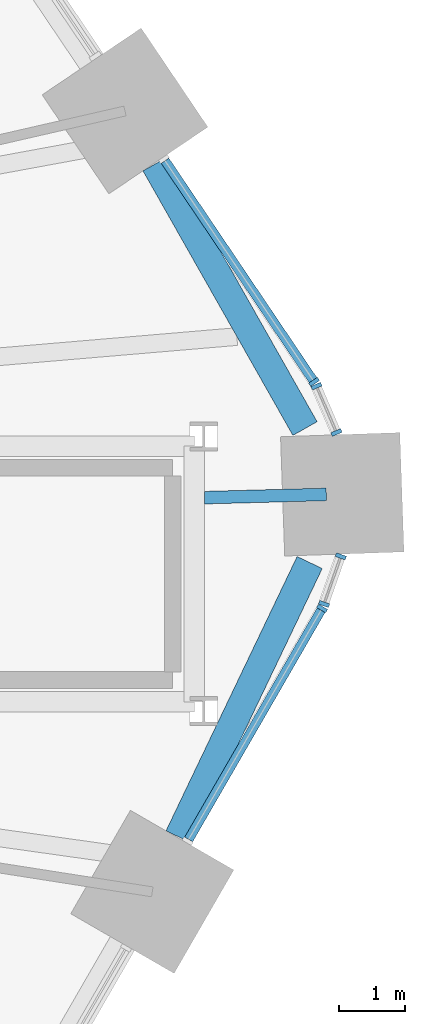
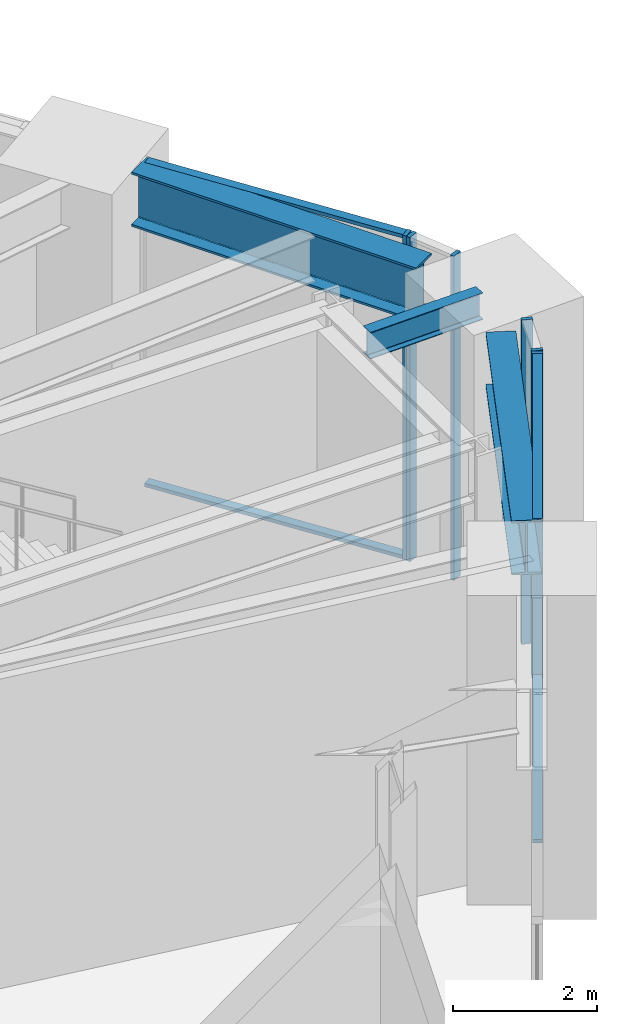
# One storey, part 11 of 30: 10 members, 3 beams, 4 elements without a shape of their own.
"""IFC4 building model written with IfcOpenShell, lengths in metres."""

from ifc_helpers import new_model, si_unit, direction, frame, origin, origin_2d, place, context, subcontext, project, spatial, rectangle, i_section, extrude, material, material_profile, profile_set, type_object, element, aggregate, save


model = new_model("IFC4")

# Units and contexts
model_context = context("Model", 3, precision=1e-05, world=origin(), true_north=direction((0.0, 1.0)))
body_context = subcontext(model_context, "Body", "Model", "MODEL_VIEW")
ifc_project = project(units=[si_unit("LENGTHUNIT", "METRE"), si_unit("AREAUNIT", "SQUARE_METRE"), si_unit("VOLUMEUNIT", "CUBIC_METRE"), si_unit("PLANEANGLEUNIT", "RADIAN"), si_unit("MASSUNIT", "GRAM", prefix="KILO")], contexts=[model_context])

# Site, building, storey
site_placement = place(None, origin())
site = spatial("IfcSite", under=ifc_project, at=site_placement, CompositionType="ELEMENT")
building_placement = place(site_placement, origin())
building = spatial("IfcBuilding", under=site, at=building_placement, Name="Tarnside Tower", CompositionType="ELEMENT")
storey_placement = place(building_placement, frame((0.0, 0.0, 15.0)))
storey = spatial("IfcBuildingStorey", under=building, at=storey_placement, Name="L02", CompositionType="ELEMENT", Elevation=15.0)

# Beams
ifc_material_1 = material(Name="Steel S355", Category="steel")
ifc_material_profile_1 = material_profile(ifc_material_1, i_section(OverallWidth=0.18994140625, OverallDepth=0.453369140625, WebThickness=0.008544921875, FlangeThickness=0.0126953125, FilletRadius=0.01025390625, at=origin_2d()), Name="UB 457x191x67")
ifc_profile_set_1 = profile_set([ifc_material_profile_1], Name="Steel S355")
beam_type_1 = type_object("IfcBeamType", Name="Floor beam UB 457x191x67", PredefinedType="BEAM", material=ifc_profile_set_1)
beam_1_placement = place(storey_placement, frame((33.443603515625, 1.1748046875, 5.023193359375), z_axis=(-0.999639419601, -0.026852016324, 0.0), x_axis=(0.026852016324, -0.999639419601, 0.0)))
element("IfcBeam", 1, at=beam_1_placement, inside=storey, type_object=beam_type_1, Name="Floor beam C5a", PredefinedType="BEAM", context=body_context, shape_type="SweptSolid", body=[
    extrude(i_section(OverallWidth=0.18994140625, OverallDepth=0.453369140625, WebThickness=0.008544921875, FlangeThickness=0.0126953125, FilletRadius=0.01025390625, at=origin_2d()), origin(), (0.0, 0.0, 1.0), 1.836669921875),
])
ifc_material_2 = material(Name="Steel S460", Category="steel")
ifc_material_profile_2 = material_profile(ifc_material_2, i_section(OverallWidth=0.42041015625, OverallDepth=0.9208984375, WebThickness=0.021484375, FlangeThickness=0.03662109375, FilletRadius=0.024169921875, at=origin_2d()), Name="UB 914x419x388")
ifc_profile_set_2 = profile_set([ifc_material_profile_2], Name="Steel S460")
beam_type_2 = type_object("IfcBeamType", Name="Perimeter girder UB 914x419x388", PredefinedType="BEAM", material=ifc_profile_set_2)
beam_2_placement = place(storey_placement, frame((31.21533203125, -3.990234375, 4.78955078125), z_axis=(0.431193650813, 0.90225940588, 0.0), x_axis=(-0.90225940588, 0.431193650813, 0.0)))
element("IfcBeam", 2, at=beam_2_placement, inside=storey, type_object=beam_type_2, Name="Perimeter girder M19", PredefinedType="BEAM", context=body_context, shape_type="SweptSolid", body=[
    extrude(i_section(OverallWidth=0.42041015625, OverallDepth=0.9208984375, WebThickness=0.021484375, FlangeThickness=0.03662109375, FilletRadius=0.024169921875, at=origin_2d()), origin(), (0.0, 0.0, 1.0), 4.586181640625),
])
beam_3_placement = place(storey_placement, frame((33.122314453125, 2.16796875, 4.78955078125), z_axis=(-0.493028689039, 0.870013052652, 0.0), x_axis=(-0.870013052652, -0.493028689039, 0.0)))
element("IfcBeam", 3, at=beam_3_placement, inside=storey, type_object=beam_type_2, Name="Perimeter girder M20", PredefinedType="BEAM", context=body_context, shape_type="SweptSolid", body=[
    extrude(i_section(OverallWidth=0.42041015625, OverallDepth=0.9208984375, WebThickness=0.021484375, FlangeThickness=0.03662109375, FilletRadius=0.024169921875, at=origin_2d()), origin(), (0.0, 0.0, 1.0), 4.58642578125),
])

# Curtain wall, member
ifc_material_3 = material(Name="Retail shopfront glazing wall", Category="glass")
curtain_wall_type = type_object("IfcCurtainWallType", Name="Retail shopfront glazing wall", PredefinedType="NOTDEFINED", material=ifc_material_3)
curtain_wall_1_placement = place(storey_placement, origin())
curtain_wall_1 = element("IfcCurtainWall", 4, at=curtain_wall_1_placement, inside=storey, type_object=curtain_wall_type, Name="Retail shopfront glazing L02 18.0", PredefinedType="NOTDEFINED")
ifc_material_4 = material(Name="Aluminium alloy 6063", Category="aluminium")
ifc_material_profile_3 = material_profile(ifc_material_4, rectangle(XDim=0.159912109375, YDim=0.06005859375, at=origin_2d()), Name="Retail shopfront glazing mullion 60 x 160")
ifc_profile_set_3 = profile_set([ifc_material_profile_3], Name="Aluminium alloy 6063")
member_type_1 = type_object("IfcMemberType", Name="Retail shopfront glazing mullion 60 x 160", PredefinedType="MULLION", material=ifc_profile_set_3)
member_1_placement = place(storey_placement, frame((33.37890625, -0.5458984375, -0.25), z_axis=(0.0, 0.0, 1.0), x_axis=(-0.866025403872, 0.499999999849, 0.0)))
member_1 = element("IfcMember", 5, at=member_1_placement, type_object=member_type_1, Name="CW2 mullion 2", PredefinedType="MULLION", context=body_context, shape_type="SweptSolid", body=[
    extrude(rectangle(XDim=0.159912109375, YDim=0.06005859375, at=origin_2d()), origin(), (0.0, 0.0, 1.0), 5.5),
])

# Curtain wall, members
curtain_wall_2_placement = place(storey_placement, origin())
curtain_wall_2 = element("IfcCurtainWall", 6, at=curtain_wall_2_placement, inside=storey, type_object=curtain_wall_type, Name="Retail shopfront glazing L02 18.1", PredefinedType="NOTDEFINED")
member_2_placement = place(storey_placement, frame((33.41015625, -0.478271484375, -0.25), z_axis=(0.0, 0.0, 1.0), x_axis=(-0.943608506476, 0.331063417649, 0.0)))
member_2 = element("IfcMember", 7, at=member_2_placement, type_object=member_type_1, Name="CW2 mullion 1", PredefinedType="MULLION", context=body_context, shape_type="SweptSolid", body=[
    extrude(rectangle(XDim=0.159912109375, YDim=0.06005859375, at=origin_2d()), origin(), (0.0, 0.0, 1.0), 5.5),
])
member_3_placement = place(storey_placement, frame((33.662109375, 0.240234375, -0.25), z_axis=(0.0, 0.0, 1.0), x_axis=(-0.943608506476, 0.331063417649, 0.0)))
member_3 = element("IfcMember", 8, at=member_3_placement, type_object=member_type_1, Name="CW2 mullion 2", PredefinedType="MULLION", context=body_context, shape_type="SweptSolid", body=[
    extrude(rectangle(XDim=0.159912109375, YDim=0.06005859375, at=origin_2d()), origin(), (0.0, 0.0, 1.0), 5.5),
])
aggregate(curtain_wall_2, [member_2, member_3])

curtain_wall_3_placement = place(storey_placement, origin())
curtain_wall_3 = element("IfcCurtainWall", 9, at=curtain_wall_3_placement, inside=storey, type_object=curtain_wall_type, Name="Retail shopfront glazing L02 19.0", PredefinedType="NOTDEFINED")
member_4_placement = place(storey_placement, frame((33.596923828125, 2.1083984375, -0.25), z_axis=(0.0, 0.0, 1.0), x_axis=(-0.918216107, -0.396079765761, 0.0)))
member_4 = element("IfcMember", 10, at=member_4_placement, type_object=member_type_1, Name="CW2 mullion 1", PredefinedType="MULLION", context=body_context, shape_type="SweptSolid", body=[
    extrude(rectangle(XDim=0.159912109375, YDim=0.06005859375, at=origin_2d()), origin(), (0.0, 0.0, 1.0), 5.5),
])
member_5_placement = place(storey_placement, frame((33.29541015625, 2.8076171875, -0.25), z_axis=(0.0, 0.0, 1.0), x_axis=(-0.918216107, -0.396079765761, 0.0)))
member_5 = element("IfcMember", 11, at=member_5_placement, type_object=member_type_1, Name="CW2 mullion 2", PredefinedType="MULLION", context=body_context, shape_type="SweptSolid", body=[
    extrude(rectangle(XDim=0.159912109375, YDim=0.06005859375, at=origin_2d()), origin(), (0.0, 0.0, 1.0), 5.5),
])
aggregate(curtain_wall_3, [member_4, member_5])

# Curtain wall, member
curtain_wall_4_placement = place(storey_placement, origin())
curtain_wall_4 = element("IfcCurtainWall", 12, at=curtain_wall_4_placement, inside=storey, type_object=curtain_wall_type, Name="Retail shopfront glazing L02 19.1", PredefinedType="NOTDEFINED")
member_6_placement = place(storey_placement, frame((33.259521484375, 2.873046875, -0.25), z_axis=(0.0, 0.0, 1.0), x_axis=(-0.829037572487, -0.559192903572, 0.0)))
member_6 = element("IfcMember", 13, at=member_6_placement, type_object=member_type_1, Name="CW2 mullion 1", PredefinedType="MULLION", context=body_context, shape_type="SweptSolid", body=[
    extrude(rectangle(XDim=0.159912109375, YDim=0.06005859375, at=origin_2d()), origin(), (0.0, 0.0, 1.0), 5.5),
])

# Member
ifc_material_profile_4 = material_profile(ifc_material_4, rectangle(XDim=0.139892578125, YDim=0.06005859375, at=origin_2d()), Name="Retail shopfront glazing transom 60 x 140")
ifc_profile_set_4 = profile_set([ifc_material_profile_4], Name="Aluminium alloy 6063")
member_type_2 = type_object("IfcMemberType", Name="Retail shopfront glazing transom 60 x 140", PredefinedType="USERDEFINED", material=ifc_profile_set_4)
member_7_placement = place(storey_placement, frame((31.367919921875, -4.029052734375, -0.219970703125), z_axis=(0.500033033937, 0.866006330792, 0.0), x_axis=(-0.866006330792, 0.500033033937, 0.0)))
member_7 = element("IfcMember", 14, at=member_7_placement, type_object=member_type_2, Name="CW2 transom 1.1", ObjectType="TRANSOM", PredefinedType="USERDEFINED", context=body_context, shape_type="SweptSolid", body=[
    extrude(rectangle(XDim=0.139892578125, YDim=0.06005859375, at=origin_2d()), origin(), (0.0, 0.0, 1.0), 3.991943359375),
])

member_8_placement = place(storey_placement, frame((31.367919921875, -4.029052734375, 5.219970703125), z_axis=(0.500033033937, 0.866006330792, 0.0), x_axis=(-0.866006330792, 0.500033033937, 0.0)))
member_8 = element("IfcMember", 15, at=member_8_placement, type_object=member_type_2, Name="CW2 transom 1.2", ObjectType="TRANSOM", PredefinedType="USERDEFINED", context=body_context, shape_type="SweptSolid", body=[
    extrude(rectangle(XDim=0.139892578125, YDim=0.06005859375, at=origin_2d()), origin(), (0.0, 0.0, 1.0), 3.991943359375),
])

aggregate(curtain_wall_1, [member_1, member_7, member_8])

member_9_placement = place(storey_placement, frame((33.24267578125, 2.89794921875, -0.219970703125), z_axis=(-0.559194461084, 0.829036521929, 0.0), x_axis=(-0.829036521929, -0.559194461084, 0.0)))
member_9 = element("IfcMember", 16, at=member_9_placement, type_object=member_type_2, Name="CW2 transom 1.1", ObjectType="TRANSOM", PredefinedType="USERDEFINED", context=body_context, shape_type="SweptSolid", body=[
    extrude(rectangle(XDim=0.139892578125, YDim=0.06005859375, at=origin_2d()), origin(), (0.0, 0.0, 1.0), 3.99169921875),
])

member_10_placement = place(storey_placement, frame((33.24267578125, 2.89794921875, 5.219970703125), z_axis=(-0.559194461084, 0.829036521929, 0.0), x_axis=(-0.829036521929, -0.559194461084, 0.0)))
member_10 = element("IfcMember", 17, at=member_10_placement, type_object=member_type_2, Name="CW2 transom 1.2", ObjectType="TRANSOM", PredefinedType="USERDEFINED", context=body_context, shape_type="SweptSolid", body=[
    extrude(rectangle(XDim=0.139892578125, YDim=0.06005859375, at=origin_2d()), origin(), (0.0, 0.0, 1.0), 3.99169921875),
])

aggregate(curtain_wall_4, [member_6, member_9, member_10])

save(model, "model.ifc")
